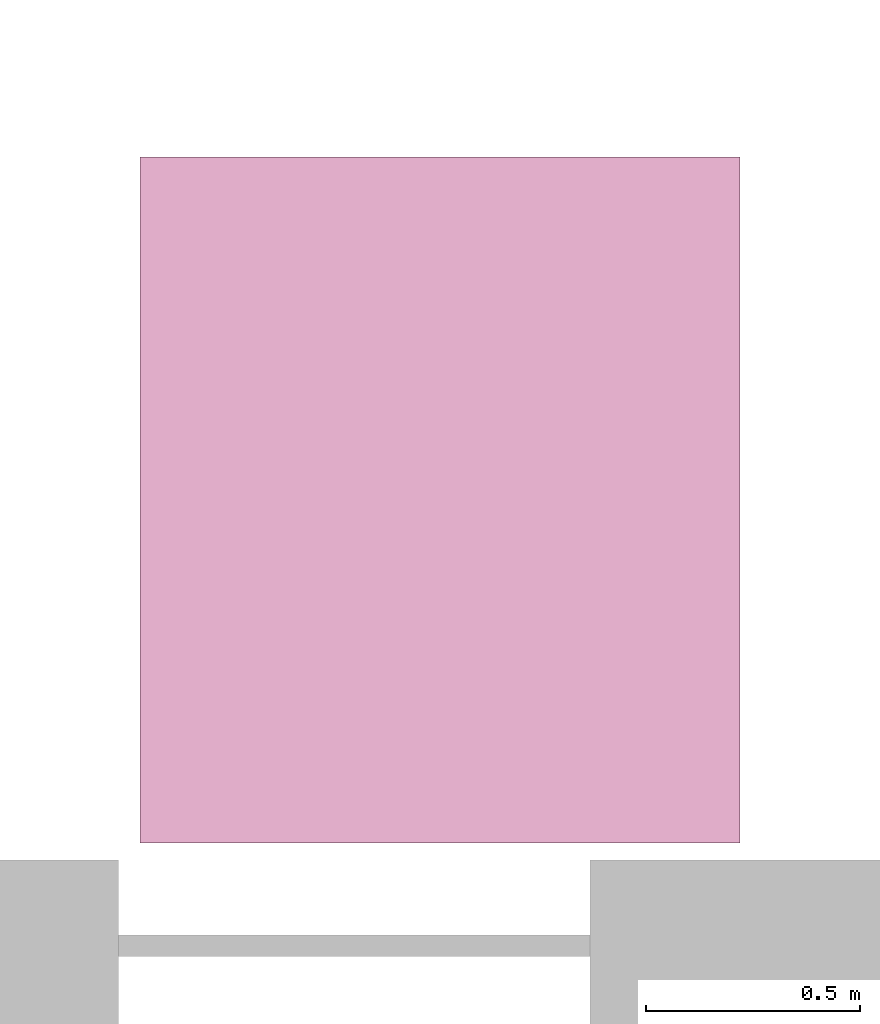
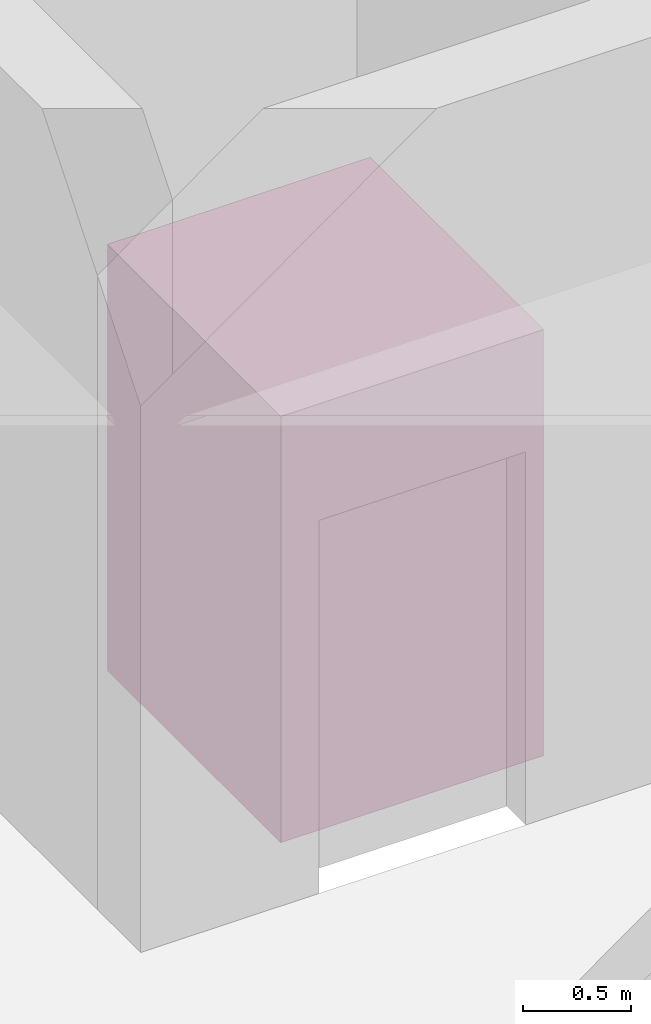
# One storey, part 101 of 101: 1 transport element.
"""IFC4 building model written with IfcOpenShell, lengths in metres."""

from ifc_helpers import new_model, si_unit, direction, frame, origin, origin_2d, place, context, subcontext, project, spatial, rectangle, extrude, material, type_object, element, save


model = new_model("IFC4")

# Units and contexts
model_context = context("Model", 3, precision=1e-05, world=origin(), true_north=direction((0.0, 1.0)))
body_context = subcontext(model_context, "Body", "Model", "MODEL_VIEW")
ifc_project = project(units=[si_unit("LENGTHUNIT", "METRE"), si_unit("AREAUNIT", "SQUARE_METRE"), si_unit("VOLUMEUNIT", "CUBIC_METRE"), si_unit("PLANEANGLEUNIT", "RADIAN"), si_unit("MASSUNIT", "GRAM", prefix="KILO")], contexts=[model_context])

# Site, building, storey
site_placement = place(None, origin())
site = spatial("IfcSite", under=ifc_project, at=site_placement, CompositionType="ELEMENT")
building_placement = place(site_placement, origin())
building = spatial("IfcBuilding", under=site, at=building_placement, Name="Laocheng Heights Fire and Rescue Headquarters", CompositionType="ELEMENT")
storey_placement = place(building_placement, frame((0.0, 0.0, 8.39990234375)))
storey = spatial("IfcBuildingStorey", under=building, at=storey_placement, Name="L02", CompositionType="ELEMENT", Elevation=8.39990234375)

# Transport element
ifc_material = material(Name="Stainless steel and glass", Category="steel")
transport_element_type = type_object("IfcTransportElementType", Name="PASSENGER LIFT 1350 KG 1400x1600", PredefinedType="ELEVATOR", material=ifc_material)
transport_element_placement = place(storey_placement, frame((76.699951171875, 66.0400390625, 0.000244140625), z_axis=(0.0, 0.0, 1.0), x_axis=(1.0, 0.0, 0.0)))
element("IfcTransportElement", 1, at=transport_element_placement, inside=storey, type_object=transport_element_type, Name="H-L2", PredefinedType="ELEVATOR", context=body_context, shape_type="SweptSolid", body=[
    extrude(rectangle(XDim=1.39990234375, YDim=1.60009765625, at=origin_2d()), origin(), (0.0, 0.0, 1.0), 2.39990234375),
])

save(model, "model.ifc")
